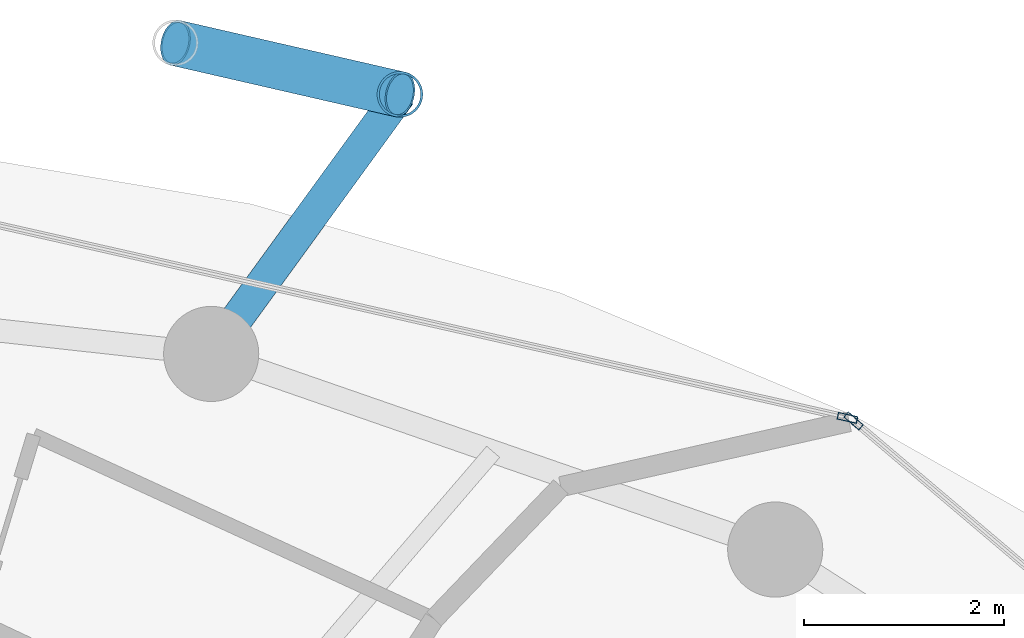
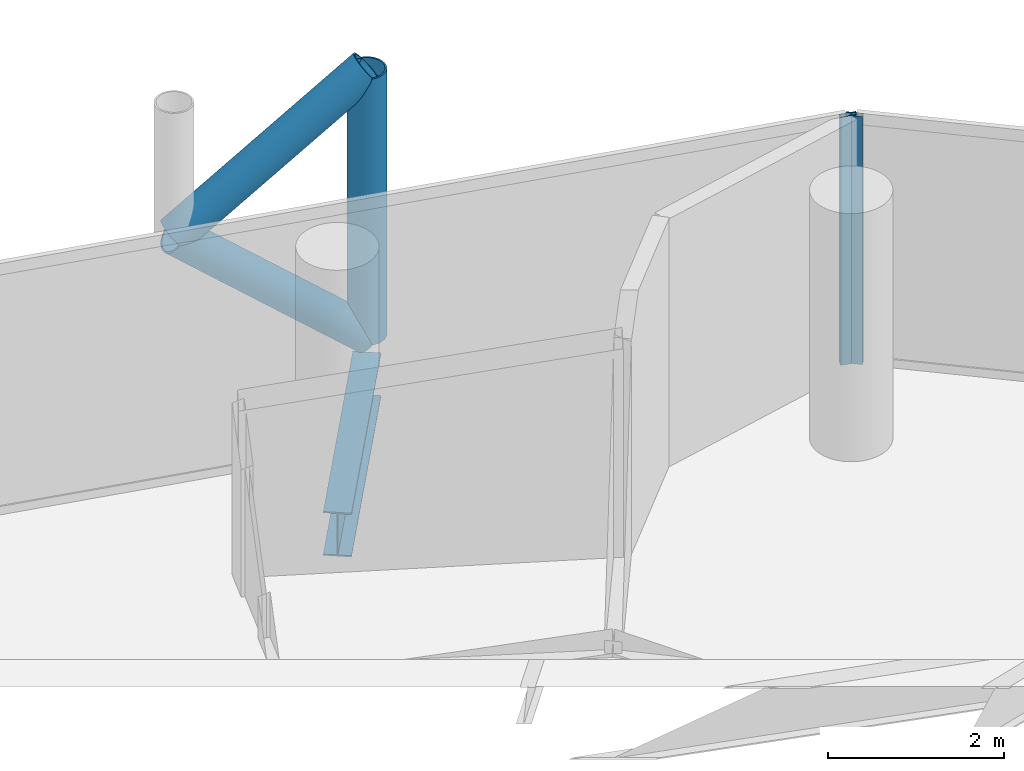
# One storey, part 20 of 26: 5 members, 1 beam, 2 elements without a shape of their own.
"""IFC4 building model written with IfcOpenShell, lengths in metres."""

from ifc_helpers import new_model, si_unit, direction, frame, origin, origin_2d, place, context, subcontext, project, spatial, hollow_rectangle, hollow_circle, i_section, extrude, material, layer, layer_set, material_profile, profile_set, type_object, element, aggregate, save


model = new_model("IFC4")

# Units and contexts
model_context = context("Model", 3, precision=1e-05, world=origin(), true_north=direction((0.0, 1.0)))
body_context = subcontext(model_context, "Body", "Model", "MODEL_VIEW")
ifc_project = project(units=[si_unit("LENGTHUNIT", "METRE"), si_unit("AREAUNIT", "SQUARE_METRE"), si_unit("VOLUMEUNIT", "CUBIC_METRE"), si_unit("PLANEANGLEUNIT", "RADIAN"), si_unit("MASSUNIT", "GRAM", prefix="KILO")], contexts=[model_context])

# Site, building, storey
site_placement = place(None, origin())
site = spatial("IfcSite", under=ifc_project, at=site_placement, CompositionType="ELEMENT")
building_placement = place(site_placement, origin())
building = spatial("IfcBuilding", under=site, at=building_placement, Name="Nuhasar Tower", CompositionType="ELEMENT")
storey_placement = place(building_placement, frame((0.0, 0.0, 118.25)))
storey = spatial("IfcBuildingStorey", under=building, at=storey_placement, Name="L27", CompositionType="ELEMENT", Elevation=118.25)

# Beam
ifc_material_1 = material(Name="Steel S355", Category="steel")
ifc_material_profile_1 = material_profile(ifc_material_1, i_section(OverallWidth=0.323974609375, OverallDepth=0.611083984375, WebThickness=0.0126953125, FlangeThickness=0.01904296875, at=origin_2d()), Name="W24X104")
ifc_profile_set_1 = profile_set([ifc_material_profile_1], Name="Steel S355")
beam_type = type_object("IfcBeamType", Name="BM-TIE-W24X104", PredefinedType="BEAM", material=ifc_profile_set_1)
beam_placement = place(storey_placement, frame((45.04296875, 45.68408203125, -0.554931640625), z_axis=(0.588185286445, 0.808726201387, 0.0), x_axis=(-0.808726201387, 0.588185286445, 0.0)))
element("IfcBeam", 1, at=beam_placement, inside=storey, type_object=beam_type, Name="L27 Exoskeleton Node Tie Beam 03", PredefinedType="BEAM", context=body_context, shape_type="SweptSolid", body=[
    extrude(i_section(OverallWidth=0.323974609375, OverallDepth=0.611083984375, WebThickness=0.0126953125, FlangeThickness=0.01904296875, at=origin_2d()), origin(), (0.0, 0.0, 1.0), 3.204833984375),
])

# Curtain wall, member
ifc_material_2 = material(Name="Aluminium 6063-T6", Category="aluminium")
ifc_layer = layer(ifc_material_2, 0.199951171875)
ifc_layer_set = layer_set([ifc_layer], Name="Aluminium 6063-T6")
curtain_wall_type = type_object("IfcCurtainWallType", Name="CW-Z2-HTL", PredefinedType="NOTDEFINED", material=ifc_layer_set)
curtain_wall_1_placement = place(storey_placement, origin())
curtain_wall_1 = element("IfcCurtainWall", 2, at=curtain_wall_1_placement, inside=storey, type_object=curtain_wall_type, Name="L27 Unitised Curtain Wall 02", PredefinedType="NOTDEFINED")
ifc_material_profile_2 = material_profile(ifc_material_2, hollow_rectangle(XDim=0.070068359375, YDim=0.199951171875, WallThickness=0.0048828125, at=origin_2d()), Name="CWM-3")
ifc_profile_set_2 = profile_set([ifc_material_profile_2], Name="Aluminium 6063-T6")
member_type_1 = type_object("IfcMemberType", Name="CW-MUL-S3", PredefinedType="MULLION", material=ifc_profile_set_2)
member_1_placement = place(storey_placement, frame((51.456787109375, 45.015380859375, 0.0), z_axis=(0.0, 0.0, 1.0), x_axis=(-0.646374438324, -0.763020370292, 0.0)))
member_1 = element("IfcMember", 3, at=member_1_placement, type_object=member_type_1, Name="CW-Z2 mullion 2", PredefinedType="MULLION", context=body_context, shape_type="SweptSolid", body=[
    extrude(hollow_rectangle(XDim=0.070068359375, YDim=0.199951171875, WallThickness=0.0048828125, at=origin_2d()), origin(), (0.0, 0.0, 1.0), 3.449951171875),
])
aggregate(curtain_wall_1, [member_1])

curtain_wall_2_placement = place(storey_placement, origin())
curtain_wall_2 = element("IfcCurtainWall", 4, at=curtain_wall_2_placement, inside=storey, type_object=curtain_wall_type, Name="L27 Unitised Curtain Wall 03", PredefinedType="NOTDEFINED")
member_2_placement = place(storey_placement, frame((51.395751953125, 45.045654296875, 0.0), z_axis=(0.0, 0.0, 1.0), x_axis=(-0.22139729566, -0.975183694221, 0.0)))
member_2 = element("IfcMember", 5, at=member_2_placement, type_object=member_type_1, Name="CW-Z2 mullion 1", PredefinedType="MULLION", context=body_context, shape_type="SweptSolid", body=[
    extrude(hollow_rectangle(XDim=0.070068359375, YDim=0.199951171875, WallThickness=0.0048828125, at=origin_2d()), origin(), (0.0, 0.0, 1.0), 3.449951171875),
])
aggregate(curtain_wall_2, [member_2])

# Members
ifc_material_3 = material(Name="Steel S460", Category="steel")
ifc_material_profile_3 = material_profile(ifc_material_3, hollow_circle(Radius=0.228515625, WallThickness=0.022216796875, at=origin_2d()), Name="HSS457X22.2")
ifc_profile_set_3 = profile_set([ifc_material_profile_3], Name="Steel S460")
member_type_2 = type_object("IfcMemberType", Name="EXO-BRONZE-457", PredefinedType="BRACE", material=ifc_profile_set_3)
member_3_placement = place(storey_placement, frame((46.927978515625, 48.27587890625, 0.0), z_axis=(0.0, 0.0, 1.0), x_axis=(1.0, 0.0, 0.0)))
element("IfcMember", 6, at=member_3_placement, inside=storey, type_object=member_type_2, Name="L27 Exoskeleton Chord Column EC-03A", PredefinedType="BRACE", context=body_context, shape_type="SweptSolid", body=[
    extrude(hollow_circle(Radius=0.228515625, WallThickness=0.022216796875, at=origin_2d()), origin(), (0.0, 0.0, 1.0), 3.699951171875),
])
member_4_placement = place(storey_placement, frame((46.927978515625, 48.27587890625, 0.0), z_axis=(-0.759499549084, 0.174181209885, 0.626754609927), x_axis=(-0.223533724104, -0.974696195842, 0.0)))
element("IfcMember", 7, at=member_4_placement, inside=storey, type_object=member_type_2, Name="L27 Bronze Diagrid Brace W1-03", PredefinedType="BRACE", context=body_context, shape_type="SweptSolid", body=[
    extrude(hollow_circle(Radius=0.228515625, WallThickness=0.022216796875, at=origin_2d()), origin(), (0.0, 0.0, 1.0), 2.951904296875),
])
member_5_placement = place(storey_placement, frame((44.68603515625, 48.7900390625, 1.85009765625), z_axis=(0.759538919781, -0.174190239035, 0.626704388019), x_axis=(0.223533724104, 0.974696195842, 0.0)))
element("IfcMember", 8, at=member_5_placement, inside=storey, type_object=member_type_2, Name="L27 Bronze Diagrid Brace W2-03", PredefinedType="BRACE", context=body_context, shape_type="SweptSolid", body=[
    extrude(hollow_circle(Radius=0.228515625, WallThickness=0.022216796875, at=origin_2d()), origin(), (0.0, 0.0, 1.0), 2.95166015625),
])

save(model, "model.ifc")
